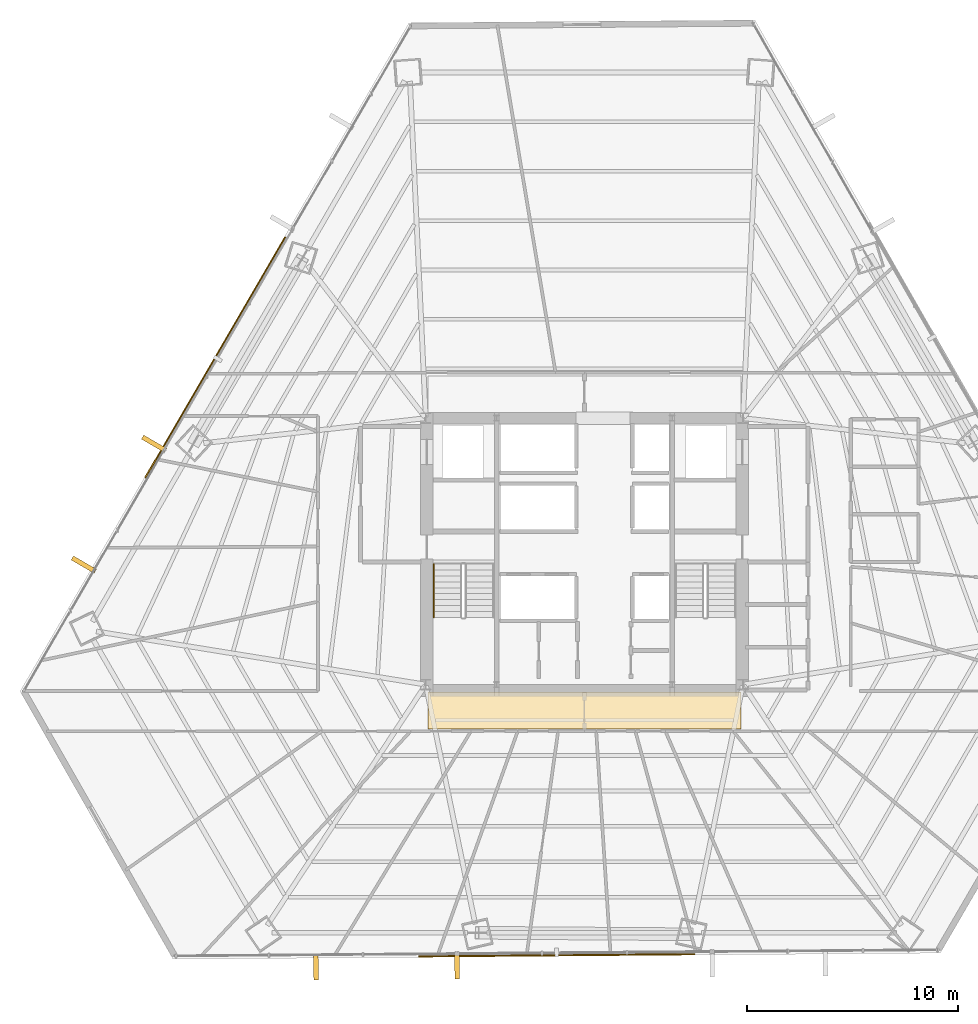
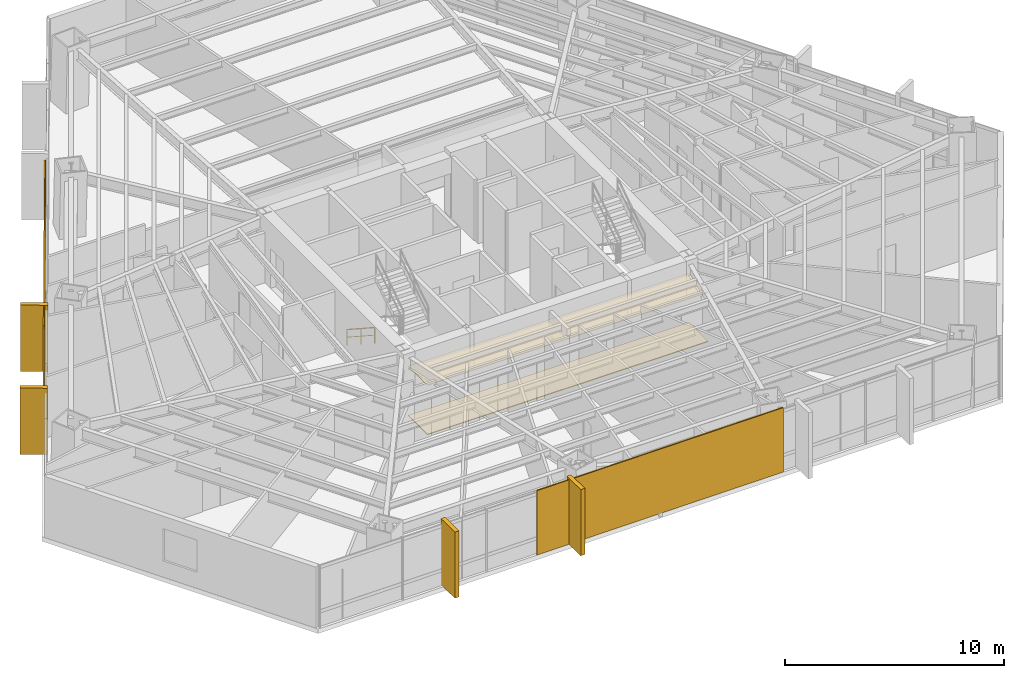
# One storey, part 36 of 38: 6 coverings, 2 shading devices, 1 railing.
"""IFC4 building model written with IfcOpenShell, lengths in metres."""

import ifcopenshell
import ifcopenshell.guid

model = None  # the IFC model being written
_history = None  # IfcOwnerHistory: only IFC2X3 demands one
_inside = {}  # id of a spatial element -> (the spatial element, [elements in it])
_under = {}  # id of a project, library or spatial element -> (it, [spatial elements below it])
_declared = {}  # id of a project -> (the project, [libraries it declares])
_typed = {}  # id of a type object -> (the type object, [elements of that type])
_made_of = {}  # id of a material, layer set ... -> (it, [elements and type objects made of it])


def new_model(schema):
    """Start an empty IFC model of exactly this schema.

    Asked for "IFC4X3", IfcOpenShell would pick the latest addendum, in which some entities
    have other attributes; the version numbers below select the first issue.
    IFC2X3 requires an IfcOwnerHistory on every rooted entity: one is made here for all.
    """
    global model, _history
    if schema == "IFC4X3":
        model = ifcopenshell.file(schema_version=(4, 3, 0, 0))
    else:
        model = ifcopenshell.file(schema=schema)
    _inside.clear()
    _under.clear()
    _declared.clear()
    _typed.clear()
    _made_of.clear()
    _history = None
    if model.schema == "IFC2X3":
        org = make("IfcOrganization", Name="unknown")
        user = make(
            "IfcPersonAndOrganization",
            ThePerson=make("IfcPerson", FamilyName="unknown"),
            TheOrganization=org,
        )
        app = make(
            "IfcApplication",
            ApplicationDeveloper=org,
            Version="unknown",
            ApplicationFullName="unknown",
            ApplicationIdentifier="unknown",
        )
        _history = make(
            "IfcOwnerHistory",
            OwningUser=user,
            OwningApplication=app,
            ChangeAction="ADDED",
            CreationDate=0,
        )
    return model


def make(cls, **values):
    """One entity of the class cls with the attributes given. An attribute that is None is left unset."""
    return model.create_entity(
        cls, **{name: value for name, value in values.items() if value is not None}
    )


def rooted(cls, **values):
    """An entity with a GlobalId (a new one), such as an element, a storey or a relation."""
    return make(cls, GlobalId=ifcopenshell.guid.new(), OwnerHistory=_history, **values)


def si_unit(unit_type, name, prefix=None):
    """IfcSIUnit, for example si_unit("LENGTHUNIT", "METRE", prefix="MILLI")."""
    return make("IfcSIUnit", UnitType=unit_type, Prefix=prefix, Name=name)


def assignment(units):
    """IfcUnitAssignment: the units of a project."""
    return None if units is None else make("IfcUnitAssignment", Units=units)


def point(xyz):
    """IfcCartesianPoint."""
    return None if xyz is None else make("IfcCartesianPoint", Coordinates=xyz)


def direction(xyz):
    """IfcDirection."""
    return None if xyz is None else make("IfcDirection", DirectionRatios=xyz)


def frame(location, z_axis=None, x_axis=None):
    """IfcAxis2Placement3D, a coordinate frame: its origin and axes. An axis left out is left unset."""
    return make(
        "IfcAxis2Placement3D",
        Location=point(location),
        Axis=direction(z_axis),
        RefDirection=direction(x_axis),
    )


def frame_2d(location, x_axis=None):
    """IfcAxis2Placement2D, a coordinate frame in the plane: its origin and x axis."""
    return make(
        "IfcAxis2Placement2D", Location=point(location), RefDirection=direction(x_axis)
    )


def origin():
    """The frame at (0, 0, 0) with its axes left unset."""
    return frame((0.0, 0.0, 0.0))


def origin_2d():
    """The frame at (0, 0) in the plane with its x axis left unset."""
    return frame_2d((0.0, 0.0))


def place(relative_to, where):
    """IfcLocalPlacement: puts the frame where relative to a parent placement (None: the world)."""
    return make(
        "IfcLocalPlacement", PlacementRelTo=relative_to, RelativePlacement=where
    )


def context(
    kind, dimensions, precision=None, world=None, true_north=None, identifier=None
):
    """IfcGeometricRepresentationContext, for example the 3D "Model" context."""
    return make(
        "IfcGeometricRepresentationContext",
        ContextIdentifier=identifier,
        ContextType=kind,
        CoordinateSpaceDimension=dimensions,
        Precision=precision,
        WorldCoordinateSystem=world,
        TrueNorth=true_north,
    )


def subcontext(parent, identifier, kind, view, scale=None):
    """IfcGeometricRepresentationSubContext, for example "Body" below "Model"."""
    return make(
        "IfcGeometricRepresentationSubContext",
        ContextIdentifier=identifier,
        ContextType=kind,
        ParentContext=parent,
        TargetScale=scale,
        TargetView=view,
    )


def project(units=None, contexts=None):
    """IfcProject with its units and contexts."""
    return rooted(
        "IfcProject",
        Name="project",
        RepresentationContexts=contexts,
        UnitsInContext=assignment(units),
    )


def spatial(cls, under=None, at=None, **own):
    """A site, building, storey or space (cls), placed at a placement, below another one or the project."""
    s = rooted(cls, ObjectPlacement=at, **own)
    if under is not None:
        _under.setdefault(under.id(), (under, []))[1].append(s)
    return s


def polyline(points):
    """IfcPolyline through the points."""
    return make("IfcPolyline", Points=[point(p) for p in points])


def profile(cls, at=None, kind="AREA", **sizes):
    """A parametric profile (cls). Its sizes go by their IFC names, for example OverallWidth=200.0."""
    return make(cls, ProfileType=kind, Position=at, **sizes)


def rectangle(**sizes):
    """IfcRectangleProfileDef."""
    return profile("IfcRectangleProfileDef", **sizes)


def outline(outer, holes=None, kind="AREA"):
    """IfcArbitraryClosedProfileDef: a profile drawn as a closed curve; with holes, ...WithVoids."""
    if holes is None:
        return make("IfcArbitraryClosedProfileDef", ProfileType=kind, OuterCurve=outer)
    return make(
        "IfcArbitraryProfileDefWithVoids",
        ProfileType=kind,
        OuterCurve=outer,
        InnerCurves=holes,
    )


def extrude(swept, where, along, depth):
    """IfcExtrudedAreaSolid: the profile swept, set in the frame where, extruded along a direction by depth."""
    return make(
        "IfcExtrudedAreaSolid",
        SweptArea=swept,
        Position=where,
        ExtrudedDirection=direction(along),
        Depth=depth,
    )


def shape(context_of_items, identifier, shape_type, items):
    """IfcShapeRepresentation: the items that make up one representation, for example the "Body"."""
    return make(
        "IfcShapeRepresentation",
        ContextOfItems=context_of_items,
        RepresentationIdentifier=identifier,
        RepresentationType=shape_type,
        Items=items,
    )


def source(mapping_origin, context_of_items, identifier, shape_type, items):
    """IfcRepresentationMap: a shape defined once, which mapped items show again and again."""
    return make(
        "IfcRepresentationMap",
        MappingOrigin=mapping_origin,
        MappedRepresentation=shape(context_of_items, identifier, shape_type, items),
    )


def transform(
    local_origin,
    x_axis=None,
    y_axis=None,
    z_axis=None,
    scale=None,
    scale2=None,
    scale3=None,
    uniform=True,
):
    """IfcCartesianTransformationOperator3D, or its non-uniform kind. x_axis, y_axis, z_axis: its Axis1, 2, 3."""
    if uniform:
        return make(
            "IfcCartesianTransformationOperator3D",
            Axis1=direction(x_axis),
            Axis2=direction(y_axis),
            LocalOrigin=point(local_origin),
            Scale=scale,
            Axis3=direction(z_axis),
        )
    return make(
        "IfcCartesianTransformationOperator3DnonUniform",
        Axis1=direction(x_axis),
        Axis2=direction(y_axis),
        LocalOrigin=point(local_origin),
        Scale=scale,
        Axis3=direction(z_axis),
        Scale2=scale2,
        Scale3=scale3,
    )


def mapped(mapping_source, mapping_target):
    """IfcMappedItem: shows the shape of a source again, moved by a transform."""
    return make(
        "IfcMappedItem", MappingSource=mapping_source, MappingTarget=mapping_target
    )


def material(Name=None, Category=None):
    """IfcMaterial."""
    return make("IfcMaterial", Name=Name, Category=Category)


def layer(
    of_material, thickness, ventilated=None, Name=None, Category=None, Priority=None
):
    """IfcMaterialLayer: one layer of a wall or slab, of a material (None: an air gap)."""
    return make(
        "IfcMaterialLayer",
        Material=of_material,
        LayerThickness=thickness,
        IsVentilated=ventilated,
        Name=Name,
        Category=Category,
        Priority=Priority,
    )


def layer_set(layers, Name=None):
    """IfcMaterialLayerSet."""
    return make("IfcMaterialLayerSet", MaterialLayers=layers, LayerSetName=Name)


def made_of(thing, what):
    """Note that an element or type object is made of a material, layer set ...; save() writes the relation."""
    if what is not None:
        _made_of.setdefault(what.id(), (what, []))[1].append(thing)
    return thing


def type_object(cls, material=None, **own):
    """A type object (cls), such as IfcWallType, which elements share."""
    return made_of(rooted(cls, **own), material)


def type_shapes(of_type, sources):
    """Give a type object the sources (RepresentationMaps) that its elements show as mapped items."""
    of_type.RepresentationMaps = sources


def element(
    cls,
    number,
    at=None,
    inside=None,
    cuts=None,
    type_object=None,
    material=None,
    context=None,
    identifier="Body",
    shape_type=None,
    held_by="IfcProductDefinitionShape",
    body=None,
    shapes=None,
    **own,
):
    """One element of the class cls, such as IfcWall. Its Tag is "e" and its number.

    at: its placement. inside: the storey or other place that contains it. cuts: it is an
    opening in that element (IfcRelVoidsElement). A single representation is given by context,
    identifier, shape_type and body (its items); several are given by shapes. held_by: the class
    of the entity that holds the representations. save() writes the other relations.
    """
    e = rooted(cls, Tag="e%d" % number, ObjectPlacement=at, **own)
    if body is not None:
        shapes = [shape(context, identifier, shape_type, body)]
    if shapes is not None:
        e.Representation = make(held_by, Representations=shapes)
    if inside is not None:
        _inside.setdefault(inside.id(), (inside, []))[1].append(e)
    if cuts is not None:
        rooted(
            "IfcRelVoidsElement", RelatingBuildingElement=cuts, RelatedOpeningElement=e
        )
    if type_object is not None:
        _typed.setdefault(type_object.id(), (type_object, []))[1].append(e)
    return made_of(e, material)


def aggregate(whole, parts):
    """IfcRelAggregates: a whole, such as a stair, and the parts it consists of."""
    return rooted("IfcRelAggregates", RelatingObject=whole, RelatedObjects=parts)


def save(model, path):
    """Write the relations noted so far, then the file.

    IfcRelAggregates (storeys below a building ...), IfcRelContainedInSpatialStructure (elements
    in a storey), IfcRelDefinesByType, IfcRelAssociatesMaterial and IfcRelDeclares: one each for
    every whole, place, type object, material and project.
    """
    for whole, parts in _under.values():
        aggregate(whole, parts)
    for where, things in _inside.values():
        rooted(
            "IfcRelContainedInSpatialStructure",
            RelatedElements=things,
            RelatingStructure=where,
        )
    for kind, things in _typed.values():
        rooted("IfcRelDefinesByType", RelatedObjects=things, RelatingType=kind)
    for what, things in _made_of.values():
        rooted("IfcRelAssociatesMaterial", RelatedObjects=things, RelatingMaterial=what)
    for by, libraries in _declared.values():
        rooted("IfcRelDeclares", RelatingContext=by, RelatedDefinitions=libraries)
    model.write(path)


model = new_model("IFC4")

# Units and contexts
model_context = context("Model", 3, precision=1e-05, world=origin(), true_north=direction((0.0, 1.0)))
body_context = subcontext(model_context, "Body", "Model", "MODEL_VIEW")
ifc_project = project(units=[si_unit("LENGTHUNIT", "METRE"), si_unit("AREAUNIT", "SQUARE_METRE"), si_unit("VOLUMEUNIT", "CUBIC_METRE"), si_unit("PLANEANGLEUNIT", "RADIAN"), si_unit("MASSUNIT", "GRAM", prefix="KILO")], contexts=[model_context])

# Site, building, storey
site_placement = place(None, origin())
site = spatial("IfcSite", under=ifc_project, at=site_placement, CompositionType="ELEMENT")
building_placement = place(site_placement, origin())
building = spatial("IfcBuilding", under=site, at=building_placement, Name="Caelisora Broadcast Tower", CompositionType="ELEMENT")
storey_placement = place(building_placement, frame((0.0, 0.0, 67.75)))
storey = spatial("IfcBuildingStorey", under=building, at=storey_placement, Name="L17", CompositionType="ELEMENT", Elevation=67.75)

# Coverings
ifc_material_1 = material(Name="Perforated Mineral-Fibre Acoustic Ceiling Tile", Category="gypsum")
ifc_layer_1 = layer(ifc_material_1, 0.034912109375, Name="Perforated Mineral-Fibre Acoustic Ceiling Tile")
ifc_layer_set_1 = layer_set([ifc_layer_1], Name="Perforated Mineral-Fibre Acoustic Ceiling Tile")
covering_type_1 = type_object("IfcCoveringType", Name="CE-1", PredefinedType="CEILING", material=ifc_layer_set_1)
covering_1_placement = place(storey_placement, frame((0.0, 0.0, 2.75)))
element("IfcCovering", 1, at=covering_1_placement, inside=storey, type_object=covering_type_1, Name="L17 acoustic corridor ceiling CE-1 (S)", PredefinedType="CEILING", context=body_context, shape_type="SweptSolid", body=[
    extrude(outline(polyline([(30.60009765625, 15.300048828125), (45.39990234375, 15.300048828125), (45.39990234375, 17.050048828125), (30.60009765625, 17.050048828125), (30.60009765625, 15.300048828125)])), origin(), (0.0, 0.0, 1.0), 0.034912109375),
])
ifc_material_2 = material(Name="Anti-Static Broadcast Raised Access Floor Panel", Category="steel")
ifc_layer_2 = layer(ifc_material_2, 0.044921875, Name="Anti-Static Broadcast Raised Access Floor Panel")
ifc_layer_set_2 = layer_set([ifc_layer_2], Name="Anti-Static Broadcast Raised Access Floor Panel")
covering_type_2 = type_object("IfcCoveringType", Name="FL-1", PredefinedType="FLOORING", material=ifc_layer_set_2)
covering_2_placement = place(storey_placement, origin())
element("IfcCovering", 2, at=covering_2_placement, inside=storey, type_object=covering_type_2, Name="L17 broadcast raised access floor FL-1 (S)", PredefinedType="FLOORING", context=body_context, shape_type="SweptSolid", body=[
    extrude(outline(polyline([(30.60009765625, 15.300048828125), (45.39990234375, 15.300048828125), (45.39990234375, 17.050048828125), (30.60009765625, 17.050048828125), (30.60009765625, 15.300048828125)])), origin(), (0.0, 0.0, 1.0), 0.044921875),
])

# Railing
ifc_material_3 = material(Name="Stainless Steel Grade 316 Tubular Handrail", Category="steel")
ifc_layer_3 = layer(ifc_material_3, 0.048095703125, Name="Stainless Steel Grade 316 Tubular Handrail")
ifc_layer_set_3 = layer_set([ifc_layer_3], Name="Stainless Steel Grade 316 Tubular Handrail")
railing_type = type_object("IfcRailingType", Name="HR-1", PredefinedType="HANDRAIL", material=ifc_layer_set_3)
railing_placement = place(storey_placement, frame((30.8701171875, 23.10009765625, 0.1826171875)))
element("IfcRailing", 3, at=railing_placement, inside=storey, type_object=railing_type, Name="L17 ST-1 stair handrail 1", PredefinedType="HANDRAIL", context=body_context, shape_type="SweptSolid", body=[
    extrude(rectangle(XDim=0.048095703125, YDim=0.048095703125, at=origin_2d()), frame((0.0, 0.0, 0.8759765625), z_axis=(0.0, -0.837786554691, 0.545997883492), x_axis=(1.0, 0.0, 0.0)), (0.0, 0.0, 1.0), 3.008056640625),
    extrude(rectangle(XDim=0.03125, YDim=0.03125, at=origin_2d()), frame((0.0, 0.0, 0.449951171875), z_axis=(0.0, -0.837786554691, 0.545997883492), x_axis=(1.0, 0.0, 0.0)), (0.0, 0.0, 1.0), 3.008056640625),
    extrude(rectangle(XDim=0.0419921875, YDim=0.0419921875, at=origin_2d()), origin(), (0.0, 0.0, 1.0), 0.851806640625),
    extrude(rectangle(XDim=0.0419921875, YDim=0.0419921875, at=origin_2d()), frame((0.0, -1.260009765625, 0.8212890625)), (0.0, 0.0, 1.0), 0.851806640625),
    extrude(rectangle(XDim=0.0419921875, YDim=0.0419921875, at=origin_2d()), frame((0.0, -2.52001953125, 1.642333984375)), (0.0, 0.0, 1.0), 0.851806640625),
])

# Coverings
ifc_material_4 = material(Name="Kiln-Fired Terracotta Spandrel Rainscreen Cladding", Category="ceramic")
ifc_layer_4 = layer(ifc_material_4, 0.044921875, Name="Kiln-Fired Terracotta Spandrel Rainscreen Cladding")
ifc_layer_set_4 = layer_set([ifc_layer_4], Name="Kiln-Fired Terracotta Spandrel Rainscreen Cladding")
covering_type_3 = type_object("IfcCoveringType", Name="CL-1", PredefinedType="CLADDING", material=ifc_layer_set_4)
shared_shape_1 = source(origin(), body_context, "Body", "SweptSolid", [
    extrude(rectangle(XDim=0.219970703125, YDim=1.25, at=origin_2d()), origin(), (0.0, 0.0, 1.0), 3.68994140625),
])
type_shapes(covering_type_3, [shared_shape_1])
for number, where, z_axis, x_axis, name in (
    (4, (31.97900390625, 4.11279296875, -0.02001953125), (0.0, 0.0, 1.0), (-0.99996777165, -0.00802842831, 0.0), "L17 vertical solar fin cladding #2-3"),
    (5, (25.309814453125, 4.059326171875, -0.02001953125), (0.0, 0.0, 1.0), (-0.99996777165, -0.00802842831, 0.0), "L17 vertical solar fin cladding #2-4"),
    (6, (14.326904296875, 23.076416015625, -0.02001953125), (0.0, 0.0, 1.0), (0.50286909456, 0.864362582332, 0.0), "L17 vertical solar fin cladding #3-1"),
    (7, (17.650390625, 28.7890625, -0.02001953125), (0.0, 0.0, 1.0), (0.50286909456, 0.864362582332, 0.0), "L17 vertical solar fin cladding #3-2"),
):
    element("IfcCovering", number, at=place(storey_placement, frame(where, z_axis=z_axis, x_axis=x_axis)), inside=storey, type_object=covering_type_3, Name=name, PredefinedType="CLADDING", context=body_context, shape_type="MappedRepresentation", body=[
        mapped(shared_shape_1, transform((0.0, 0.0, 0.0), scale=1.0)),
    ])

# Shading devices
ifc_material_5 = material(Name="Perforated Glazed Terracotta Baguette Solar Screen", Category="ceramic")
ifc_layer_5 = layer(ifc_material_5, 0.06494140625, Name="Perforated Glazed Terracotta Baguette Solar Screen")
ifc_layer_set_5 = layer_set([ifc_layer_5], Name="Perforated Glazed Terracotta Baguette Solar Screen")
shading_device_type = type_object("IfcShadingDeviceType", Name="SS-1", PredefinedType="USERDEFINED", material=ifc_layer_set_5)
shared_shape_2 = source(origin(), body_context, "Body", "SweptSolid", [
    extrude(rectangle(XDim=13.1669921875, YDim=0.06494140625, at=origin_2d()), origin(), (0.0, 0.0, 1.0), 3.590087890625),
])
shading_device_1_placement = place(storey_placement, frame((20.545166015625, 32.869384765625, 0.0), z_axis=(0.0, 0.0, 1.0), x_axis=(-0.50286909456, -0.864362582332, 0.0)))
element("IfcShadingDevice", 8, at=shading_device_1_placement, inside=storey, type_object=shading_device_type, Name="L17 perforated terracotta solar screen #1", ObjectType="SOLAR SCREEN", PredefinedType="USERDEFINED", context=body_context, shape_type="MappedRepresentation", body=[
    mapped(shared_shape_2, transform((0.0, 0.0, 0.0), scale=1.0)),
])
shared_shape_3 = source(origin(), body_context, "Body", "SweptSolid", [
    extrude(rectangle(XDim=13.06298828125, YDim=0.06494140625, at=origin_2d()), origin(), (0.0, 0.0, 1.0), 3.590087890625),
])
type_shapes(shading_device_type, [shared_shape_2, shared_shape_3])
shading_device_2_placement = place(storey_placement, frame((36.690673828125, 4.6005859375, 0.0), z_axis=(0.0, 0.0, 1.0), x_axis=(0.99996777165, 0.00802842831, 0.0)))
element("IfcShadingDevice", 9, at=shading_device_2_placement, inside=storey, type_object=shading_device_type, Name="L17 perforated terracotta solar screen #2", ObjectType="SOLAR SCREEN", PredefinedType="USERDEFINED", context=body_context, shape_type="MappedRepresentation", body=[
    mapped(shared_shape_3, transform((0.0, 0.0, 0.0), scale=1.0)),
])

save(model, "model.ifc")
